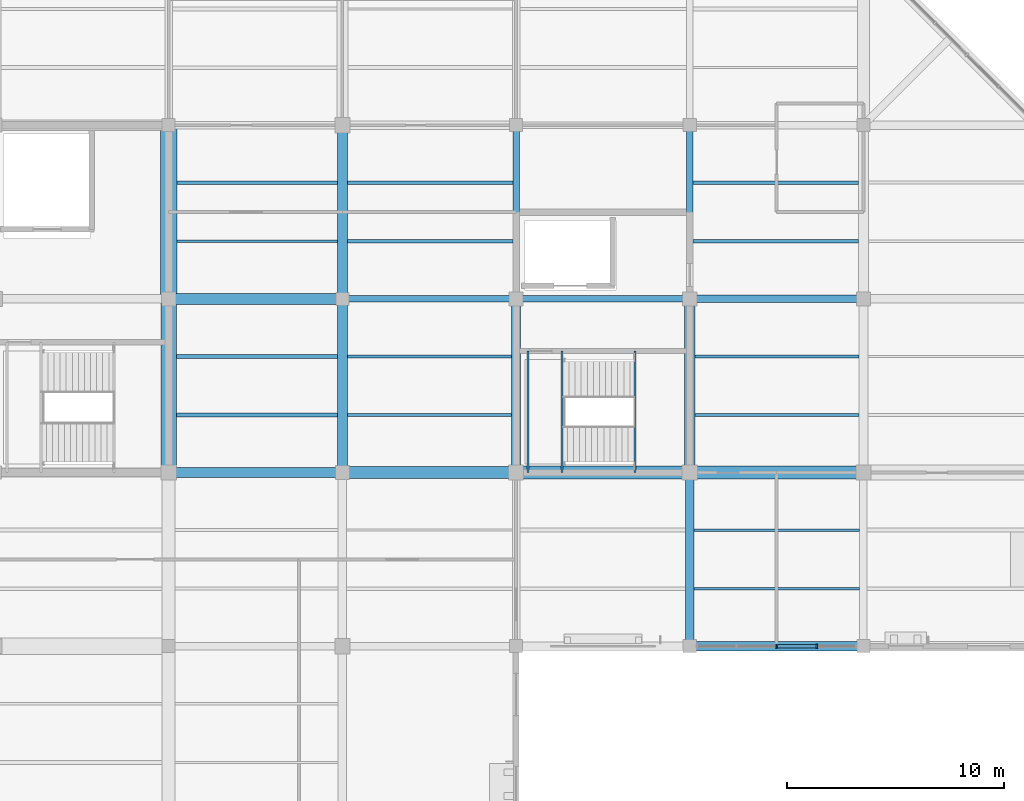
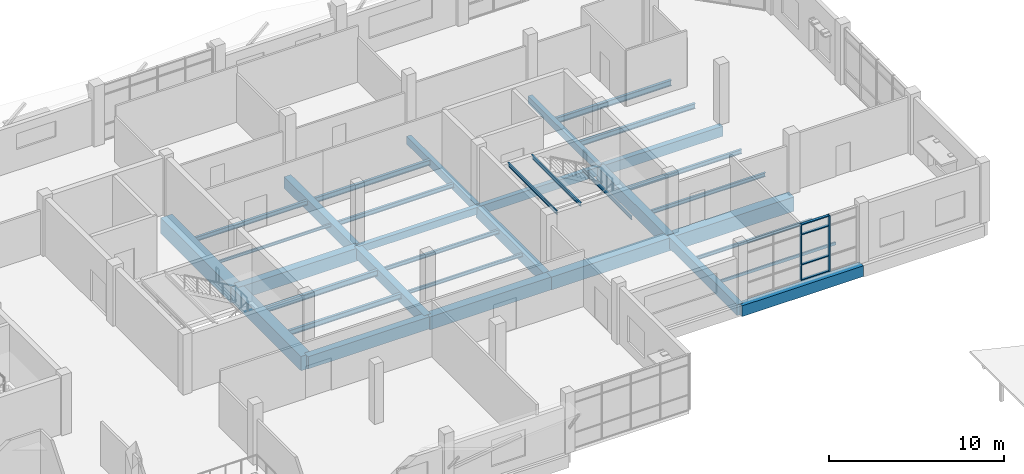
# One storey, part 30 of 84: 35 beams, 6 members, 1 element without a shape of its own.
"""IFC4 building model written with IfcOpenShell, lengths in metres."""

from ifc_helpers import new_model, si_unit, direction, frame, origin, origin_2d, place, context, subcontext, project, spatial, rectangle, hollow_rectangle, i_section, extrude, material, material_profile, profile_set, type_object, element, aggregate, save


model = new_model("IFC4")

# Units and contexts
model_context = context("Model", 3, precision=1e-05, world=origin(), true_north=direction((0.0, 1.0)))
body_context = subcontext(model_context, "Body", "Model", "MODEL_VIEW")
ifc_project = project(units=[si_unit("LENGTHUNIT", "METRE"), si_unit("AREAUNIT", "SQUARE_METRE"), si_unit("VOLUMEUNIT", "CUBIC_METRE"), si_unit("PLANEANGLEUNIT", "RADIAN"), si_unit("MASSUNIT", "GRAM", prefix="KILO")], contexts=[model_context])

# Site, building, storey
site_placement = place(None, origin())
site = spatial("IfcSite", under=ifc_project, at=site_placement, CompositionType="ELEMENT")
building_placement = place(site_placement, origin())
building = spatial("IfcBuilding", under=site, at=building_placement, Name="Tenunan Teduh Sports Hall", CompositionType="ELEMENT")
storey_placement = place(building_placement, frame((0.0, 0.0, 10.800048828125)))
storey = spatial("IfcBuildingStorey", under=building, at=storey_placement, Name="L02", CompositionType="ELEMENT", Elevation=10.800048828125)

# Beams
ifc_material_1 = material(Name="Concrete C40/50", Category="concrete")
ifc_material_profile_1 = material_profile(ifc_material_1, rectangle(XDim=0.300048828125, YDim=0.5, at=origin_2d()), Name="RCB 300x500")
ifc_profile_set_1 = profile_set([ifc_material_profile_1], Name="Concrete C40/50")
beam_type_1 = type_object("IfcBeamType", Name="BM-RC-300x500", PredefinedType="BEAM", material=ifc_profile_set_1)
for number, where, z_axis, x_axis, name in (
    (1, (46.0, 102.0, -0.510009765625), (1.0, 0.0, 0.0), (0.0, 1.0, 0.0), "BM-B-01-L02-1529"),
    (2, (62.0, 102.0, -0.510009765625), (0.0, 1.0, 0.0), (-1.0, 0.0, 0.0), "BM-B-01-L02-1614"),
):
    element("IfcBeam", number, at=place(storey_placement, frame(where, z_axis=z_axis, x_axis=x_axis)), inside=storey, type_object=beam_type_1, Name=name, PredefinedType="BEAM", context=body_context, shape_type="SweptSolid", body=[
        extrude(rectangle(XDim=0.300048828125, YDim=0.5, at=origin_2d()), origin(), (0.0, 0.0, 1.0), 8.0),
    ])
ifc_material_2 = material(Name="Concrete C40/50", Category="concrete")
ifc_material_profile_2 = material_profile(ifc_material_2, rectangle(XDim=0.300048828125, YDim=0.550048828125, at=origin_2d()), Name="RCB 300x550")
ifc_profile_set_2 = profile_set([ifc_material_profile_2], Name="Concrete C40/50")
beam_type_2 = type_object("IfcBeamType", Name="BM-RC-300x550", PredefinedType="BEAM", material=ifc_profile_set_2)
beam_1_placement = place(storey_placement, frame((54.0, 102.0, -0.53515625), z_axis=(0.0, 1.0, 0.0), x_axis=(-1.0, 0.0, 0.0)))
element("IfcBeam", 3, at=beam_1_placement, inside=storey, type_object=beam_type_2, Name="BM-B-02-L02-1610", PredefinedType="BEAM", context=body_context, shape_type="SweptSolid", body=[
    extrude(rectangle(XDim=0.300048828125, YDim=0.550048828125, at=origin_2d()), origin(), (0.0, 0.0, 1.0), 8.0),
])
ifc_material_3 = material(Name="Concrete C40/50", Category="concrete")
ifc_material_profile_3 = material_profile(ifc_material_3, rectangle(XDim=0.300048828125, YDim=0.60009765625, at=origin_2d()), Name="RCB 300x600")
ifc_profile_set_3 = profile_set([ifc_material_profile_3], Name="Concrete C40/50")
beam_type_3 = type_object("IfcBeamType", Name="BM-RC-300x600", PredefinedType="BEAM", material=ifc_profile_set_3)
beam_2_placement = place(storey_placement, frame((54.0, 102.0, -0.56005859375), z_axis=(1.0, 0.0, 0.0), x_axis=(0.0, 1.0, 0.0)))
element("IfcBeam", 4, at=beam_2_placement, inside=storey, type_object=beam_type_3, Name="BM-B-03-L02-1530", PredefinedType="BEAM", context=body_context, shape_type="SweptSolid", body=[
    extrude(rectangle(XDim=0.300048828125, YDim=0.60009765625, at=origin_2d()), origin(), (0.0, 0.0, 1.0), 8.0),
])
ifc_material_4 = material(Name="Concrete C40/50", Category="concrete")
ifc_material_profile_4 = material_profile(ifc_material_4, rectangle(XDim=0.35009765625, YDim=0.699951171875, at=origin_2d()), Name="RCB 350x700")
ifc_profile_set_4 = profile_set([ifc_material_profile_4], Name="Concrete C40/50")
beam_type_4 = type_object("IfcBeamType", Name="BM-RC-350x700", PredefinedType="BEAM", material=ifc_profile_set_4)
beam_3_placement = place(storey_placement, frame((62.0, 102.0, -0.610107421875), z_axis=(1.0, 0.0, 0.0), x_axis=(0.0, 1.0, 0.0)))
element("IfcBeam", 5, at=beam_3_placement, inside=storey, type_object=beam_type_4, Name="BM-B-06-L02-1531", PredefinedType="BEAM", context=body_context, shape_type="SweptSolid", body=[
    extrude(rectangle(XDim=0.35009765625, YDim=0.699951171875, at=origin_2d()), origin(), (0.0, 0.0, 1.0), 8.0),
])
ifc_material_5 = material(Name="Concrete C40/50", Category="concrete")
ifc_material_profile_5 = material_profile(ifc_material_5, rectangle(XDim=0.39990234375, YDim=0.75, at=origin_2d()), Name="RCB 400x750")
ifc_profile_set_5 = profile_set([ifc_material_profile_5], Name="Concrete C40/50")
beam_type_5 = type_object("IfcBeamType", Name="BM-RC-400x750", PredefinedType="BEAM", material=ifc_profile_set_5)
beam_4_placement = place(storey_placement, frame((62.0, 86.0, -0.635009765625), z_axis=(0.0, 1.0, 0.0), x_axis=(-1.0, 0.0, 0.0)))
element("IfcBeam", 6, at=beam_4_placement, inside=storey, type_object=beam_type_5, Name="BM-B-09-L02-1612", PredefinedType="BEAM", context=body_context, shape_type="SweptSolid", body=[
    extrude(rectangle(XDim=0.39990234375, YDim=0.75, at=origin_2d()), origin(), (0.0, 0.0, 1.0), 8.0),
])
ifc_material_6 = material(Name="Concrete C40/50", Category="concrete")
ifc_material_profile_6 = material_profile(ifc_material_6, rectangle(XDim=0.449951171875, YDim=0.75, at=origin_2d()), Name="RCB 450x750")
ifc_profile_set_6 = profile_set([ifc_material_profile_6], Name="Concrete C40/50")
beam_type_6 = type_object("IfcBeamType", Name="BM-RC-450x750", PredefinedType="BEAM", material=ifc_profile_set_6)
for number, where, z_axis, x_axis, name in (
    (7, (62.0, 86.0, -0.635009765625), (1.0, 0.0, 0.0), (0.0, 1.0, 0.0), "BM-B-11-L02-1498"),
    (8, (46.0, 94.0, -0.635009765625), (0.0, 1.0, 0.0), (-1.0, 0.0, 0.0), "BM-B-11-L02-1605"),
):
    element("IfcBeam", number, at=place(storey_placement, frame(where, z_axis=z_axis, x_axis=x_axis)), inside=storey, type_object=beam_type_6, Name=name, PredefinedType="BEAM", context=body_context, shape_type="SweptSolid", body=[
        extrude(rectangle(XDim=0.449951171875, YDim=0.75, at=origin_2d()), origin(), (0.0, 0.0, 1.0), 8.0),
    ])
ifc_material_7 = material(Name="Concrete C40/50", Category="concrete")
ifc_material_profile_7 = material_profile(ifc_material_7, rectangle(XDim=0.449951171875, YDim=0.800048828125, at=origin_2d()), Name="RCB 450x800")
ifc_profile_set_7 = profile_set([ifc_material_profile_7], Name="Concrete C40/50")
beam_type_7 = type_object("IfcBeamType", Name="BM-RC-450x800", PredefinedType="BEAM", material=ifc_profile_set_7)
beam_5_placement = place(storey_placement, frame((46.0, 102.0, -0.66015625), z_axis=(0.0, 1.0, 0.0), x_axis=(-1.0, 0.0, 0.0)))
element("IfcBeam", 9, at=beam_5_placement, inside=storey, type_object=beam_type_7, Name="BM-B-12-L02-1606", PredefinedType="BEAM", context=body_context, shape_type="SweptSolid", body=[
    extrude(rectangle(XDim=0.449951171875, YDim=0.800048828125, at=origin_2d()), origin(), (0.0, 0.0, 1.0), 8.0),
])
ifc_material_8 = material(Name="Concrete C40/50", Category="concrete")
ifc_material_profile_8 = material_profile(ifc_material_8, rectangle(XDim=0.449951171875, YDim=0.85009765625, at=origin_2d()), Name="RCB 450x850")
ifc_profile_set_8 = profile_set([ifc_material_profile_8], Name="Concrete C40/50")
beam_type_8 = type_object("IfcBeamType", Name="BM-RC-450x850", PredefinedType="BEAM", material=ifc_profile_set_8)
beam_6_placement = place(storey_placement, frame((38.0, 94.0, -0.68505859375), z_axis=(1.0, 0.0, 0.0), x_axis=(0.0, 1.0, 0.0)))
element("IfcBeam", 10, at=beam_6_placement, inside=storey, type_object=beam_type_8, Name="BM-B-13-L02-1511", PredefinedType="BEAM", context=body_context, shape_type="SweptSolid", body=[
    extrude(rectangle(XDim=0.449951171875, YDim=0.85009765625, at=origin_2d()), origin(), (0.0, 0.0, 1.0), 8.0),
])
ifc_material_9 = material(Name="Concrete C40/50", Category="concrete")
ifc_material_profile_9 = material_profile(ifc_material_9, rectangle(XDim=0.5, YDim=0.89990234375, at=origin_2d()), Name="RCB 500x900")
ifc_profile_set_9 = profile_set([ifc_material_profile_9], Name="Concrete C40/50")
beam_type_9 = type_object("IfcBeamType", Name="BM-RC-500x900", PredefinedType="BEAM", material=ifc_profile_set_9)
for number, where, z_axis, x_axis, name in (
    (11, (38.0, 102.0, -0.7099609375), (1.0, 0.0, 0.0), (0.0, 1.0, 0.0), "BM-B-15-L02-1528"),
    (12, (62.0, 94.0, -0.7099609375), (0.0, 1.0, 0.0), (-1.0, 0.0, 0.0), "BM-B-15-L02-1613"),
):
    element("IfcBeam", number, at=place(storey_placement, frame(where, z_axis=z_axis, x_axis=x_axis)), inside=storey, type_object=beam_type_9, Name=name, PredefinedType="BEAM", context=body_context, shape_type="SweptSolid", body=[
        extrude(rectangle(XDim=0.5, YDim=0.89990234375, at=origin_2d()), origin(), (0.0, 0.0, 1.0), 8.0),
    ])
ifc_material_10 = material(Name="Concrete C40/50", Category="concrete")
ifc_material_profile_10 = material_profile(ifc_material_10, rectangle(XDim=0.550048828125, YDim=0.89990234375, at=origin_2d()), Name="RCB 550x900")
ifc_profile_set_10 = profile_set([ifc_material_profile_10], Name="Concrete C40/50")
beam_type_10 = type_object("IfcBeamType", Name="BM-RC-550x900", PredefinedType="BEAM", material=ifc_profile_set_10)
beam_7_placement = place(storey_placement, frame((46.0, 94.0, -0.7099609375), z_axis=(1.0, 0.0, 0.0), x_axis=(0.0, 1.0, 0.0)))
element("IfcBeam", 13, at=beam_7_placement, inside=storey, type_object=beam_type_10, Name="BM-B-16-L02-1512", PredefinedType="BEAM", context=body_context, shape_type="SweptSolid", body=[
    extrude(rectangle(XDim=0.550048828125, YDim=0.89990234375, at=origin_2d()), origin(), (0.0, 0.0, 1.0), 8.0),
])
ifc_material_11 = material(Name="Concrete C40/50", Category="concrete")
ifc_material_profile_11 = material_profile(ifc_material_11, rectangle(XDim=0.60009765625, YDim=1.0, at=origin_2d()), Name="RCB 600x1000")
ifc_profile_set_11 = profile_set([ifc_material_profile_11], Name="Concrete C40/50")
beam_type_11 = type_object("IfcBeamType", Name="BM-RC-600x1000", PredefinedType="BEAM", material=ifc_profile_set_11)
beam_8_placement = place(storey_placement, frame((62.0, 94.0, -0.760009765625), z_axis=(1.0, 0.0, 0.0), x_axis=(0.0, 1.0, 0.0)))
element("IfcBeam", 14, at=beam_8_placement, inside=storey, type_object=beam_type_11, Name="BM-B-18-L02-1514", PredefinedType="BEAM", context=body_context, shape_type="SweptSolid", body=[
    extrude(rectangle(XDim=0.60009765625, YDim=1.0, at=origin_2d()), origin(), (0.0, 0.0, 1.0), 8.0),
])
ifc_material_12 = material(Name="Concrete C40/50", Category="concrete")
ifc_material_profile_12 = material_profile(ifc_material_12, rectangle(XDim=0.60009765625, YDim=0.89990234375, at=origin_2d()), Name="RCB 600x900")
ifc_profile_set_12 = profile_set([ifc_material_profile_12], Name="Concrete C40/50")
beam_type_12 = type_object("IfcBeamType", Name="BM-RC-600x900", PredefinedType="BEAM", material=ifc_profile_set_12)
beam_9_placement = place(storey_placement, frame((54.0, 94.0, -0.7099609375), z_axis=(1.0, 0.0, 0.0), x_axis=(0.0, 1.0, 0.0)))
element("IfcBeam", 15, at=beam_9_placement, inside=storey, type_object=beam_type_12, Name="BM-B-17-L02-1513", PredefinedType="BEAM", context=body_context, shape_type="SweptSolid", body=[
    extrude(rectangle(XDim=0.60009765625, YDim=0.89990234375, at=origin_2d()), origin(), (0.0, 0.0, 1.0), 8.0),
])
ifc_material_13 = material(Name="Concrete C40/50", Category="concrete")
ifc_material_profile_13 = material_profile(ifc_material_13, rectangle(XDim=0.699951171875, YDim=1.0, at=origin_2d()), Name="RCB 700x1000")
ifc_profile_set_13 = profile_set([ifc_material_profile_13], Name="Concrete C40/50")
beam_type_13 = type_object("IfcBeamType", Name="BM-RC-700x1000", PredefinedType="SPANDREL", material=ifc_profile_set_13)
beam_10_placement = place(storey_placement, frame((38.0, 94.0, -0.760009765625), z_axis=(0.0, 1.0, 0.0), x_axis=(-1.0, 0.0, 0.0)))
element("IfcBeam", 16, at=beam_10_placement, inside=storey, type_object=beam_type_13, Name="BM-B-19-L02-1600", PredefinedType="SPANDREL", context=body_context, shape_type="SweptSolid", body=[
    extrude(rectangle(XDim=0.699951171875, YDim=1.0, at=origin_2d()), origin(), (0.0, 0.0, 1.0), 8.0),
])
ifc_material_14 = material(Name="Concrete C40/50", Category="concrete")
ifc_material_profile_14 = material_profile(ifc_material_14, rectangle(XDim=0.75, YDim=1.10009765625, at=origin_2d()), Name="RCB 750x1100")
ifc_profile_set_14 = profile_set([ifc_material_profile_14], Name="Concrete C40/50")
beam_type_14 = type_object("IfcBeamType", Name="BM-RC-750x1100", PredefinedType="SPANDREL", material=ifc_profile_set_14)
beam_11_placement = place(storey_placement, frame((38.0, 102.0, -0.81005859375), z_axis=(0.0, 1.0, 0.0), x_axis=(-1.0, 0.0, 0.0)))
element("IfcBeam", 17, at=beam_11_placement, inside=storey, type_object=beam_type_14, Name="BM-B-20-L02-1601", PredefinedType="SPANDREL", context=body_context, shape_type="SweptSolid", body=[
    extrude(rectangle(XDim=0.75, YDim=1.10009765625, at=origin_2d()), origin(), (0.0, 0.0, 1.0), 8.0),
])
ifc_material_15 = material(Name="Concrete C40/50", Category="concrete")
ifc_material_profile_15 = material_profile(ifc_material_15, rectangle(XDim=0.39990234375, YDim=0.780029296875, at=origin_2d()), Name="TB 400x780")
ifc_profile_set_15 = profile_set([ifc_material_profile_15], Name="Concrete C40/50")
beam_type_15 = type_object("IfcBeamType", Name="BM-TB-400x780", PredefinedType="T_BEAM", material=ifc_profile_set_15)
beam_12_placement = place(storey_placement, frame((54.0, 94.0, -0.650146484375), z_axis=(0.0, 1.0, 0.0), x_axis=(-1.0, 0.0, 0.0)))
element("IfcBeam", 18, at=beam_12_placement, inside=storey, type_object=beam_type_15, Name="BM-TB-02-L02-1609", PredefinedType="T_BEAM", context=body_context, shape_type="SweptSolid", body=[
    extrude(rectangle(XDim=0.39990234375, YDim=0.780029296875, at=origin_2d()), origin(), (0.0, 0.0, 1.0), 8.0),
])

# Curtain wall, members
ifc_material_16 = material(Name="Anodised aluminium", Category="aluminium")
curtain_wall_type = type_object("IfcCurtainWallType", Name="CW-UNIT-2", PredefinedType="NOTDEFINED", material=ifc_material_16)
curtain_wall_placement = place(storey_placement, origin())
curtain_wall = element("IfcCurtainWall", 19, at=curtain_wall_placement, inside=storey, type_object=curtain_wall_type, Name="CW-CWM-200-L02-212", PredefinedType="NOTDEFINED")
ifc_material_17 = material(Name="Anodised aluminium", Category="aluminium")
ifc_material_profile_16 = material_profile(ifc_material_17, rectangle(XDim=0.070068359375, YDim=0.199951171875, at=origin_2d()), Name="CWM 70x200")
ifc_profile_set_16 = profile_set([ifc_material_profile_16], Name="Anodised aluminium")
member_type_1 = type_object("IfcMemberType", Name="CWM-200", PredefinedType="MULLION", material=ifc_profile_set_16)
member_1_placement = place(storey_placement, frame((66.0, 86.0, 0.0), z_axis=(0.0, 0.0, 1.0), x_axis=(1.0, 0.0, 0.0)))
member_1 = element("IfcMember", 20, at=member_1_placement, type_object=member_type_1, Name="CW-02 mullion 3", PredefinedType="MULLION", context=body_context, shape_type="SweptSolid", body=[
    extrude(rectangle(XDim=0.070068359375, YDim=0.199951171875, at=origin_2d()), origin(), (0.0, 0.0, 1.0), 3.919921875),
])
member_2_placement = place(storey_placement, frame((67.85009765625, 86.0, 0.0), z_axis=(0.0, 0.0, 1.0), x_axis=(1.0, 0.0, 0.0)))
member_2 = element("IfcMember", 21, at=member_2_placement, type_object=member_type_1, Name="CW-02 mullion 4", PredefinedType="MULLION", context=body_context, shape_type="SweptSolid", body=[
    extrude(rectangle(XDim=0.070068359375, YDim=0.199951171875, at=origin_2d()), origin(), (0.0, 0.0, 1.0), 3.919921875),
])
ifc_material_18 = material(Name="Anodised aluminium", Category="aluminium")
ifc_material_profile_17 = material_profile(ifc_material_18, rectangle(XDim=0.070068359375, YDim=0.159912109375, at=origin_2d()), Name="CWT 70x160")
ifc_profile_set_17 = profile_set([ifc_material_profile_17], Name="Anodised aluminium")
member_type_2 = type_object("IfcMemberType", Name="CWT-200", PredefinedType="USERDEFINED", material=ifc_profile_set_17)
member_3_placement = place(storey_placement, frame((66.034912109375, 86.0, 0.034912109375), z_axis=(1.0, 0.0, 0.0), x_axis=(0.0, 0.0, 1.0)))
member_3 = element("IfcMember", 22, at=member_3_placement, type_object=member_type_2, Name="CW-02 transom 3.1", ObjectType="TRANSOM", PredefinedType="USERDEFINED", context=body_context, shape_type="SweptSolid", body=[
    extrude(rectangle(XDim=0.070068359375, YDim=0.159912109375, at=origin_2d()), origin(), (0.0, 0.0, 1.0), 1.780029296875),
])
member_4_placement = place(storey_placement, frame((66.034912109375, 86.0, 1.099853515625), z_axis=(1.0, 0.0, 0.0), x_axis=(0.0, 0.0, 1.0)))
member_4 = element("IfcMember", 23, at=member_4_placement, type_object=member_type_2, Name="CW-02 transom 3.2", ObjectType="TRANSOM", PredefinedType="USERDEFINED", context=body_context, shape_type="SweptSolid", body=[
    extrude(rectangle(XDim=0.070068359375, YDim=0.159912109375, at=origin_2d()), origin(), (0.0, 0.0, 1.0), 1.780029296875),
])
member_5_placement = place(storey_placement, frame((66.034912109375, 86.0, 3.199951171875), z_axis=(1.0, 0.0, 0.0), x_axis=(0.0, 0.0, 1.0)))
member_5 = element("IfcMember", 24, at=member_5_placement, type_object=member_type_2, Name="CW-02 transom 3.3", ObjectType="TRANSOM", PredefinedType="USERDEFINED", context=body_context, shape_type="SweptSolid", body=[
    extrude(rectangle(XDim=0.070068359375, YDim=0.159912109375, at=origin_2d()), origin(), (0.0, 0.0, 1.0), 1.780029296875),
])
member_6_placement = place(storey_placement, frame((66.034912109375, 86.0, 3.885009765625), z_axis=(1.0, 0.0, 0.0), x_axis=(0.0, 0.0, 1.0)))
member_6 = element("IfcMember", 25, at=member_6_placement, type_object=member_type_2, Name="CW-02 transom 3.4", ObjectType="TRANSOM", PredefinedType="USERDEFINED", context=body_context, shape_type="SweptSolid", body=[
    extrude(rectangle(XDim=0.070068359375, YDim=0.159912109375, at=origin_2d()), origin(), (0.0, 0.0, 1.0), 1.780029296875),
])
aggregate(curtain_wall, [member_1, member_2, member_3, member_4, member_5, member_6])

# Beams
ifc_material_19 = material(Name="Steel S355", Category="steel")
ifc_material_profile_18 = material_profile(ifc_material_19, i_section(OverallWidth=0.10009765625, OverallDepth=0.199951171875, WebThickness=0.005615234375, FlangeThickness=0.008544921875, FilletRadius=0.011962890625, at=origin_2d()), Name="IPE 200")
ifc_profile_set_18 = profile_set([ifc_material_profile_18], Name="Steel S355")
beam_type_16 = type_object("IfcBeamType", Name="JST-IPE200", PredefinedType="JOIST", material=ifc_profile_set_18)
beam_13_placement = place(storey_placement, frame((38.375, 104.64990234375, -0.360107421875), z_axis=(1.0, 0.0, 0.0), x_axis=(0.0, 1.0, 0.0)))
element("IfcBeam", 26, at=beam_13_placement, inside=storey, type_object=beam_type_16, Name="BM-J-01-L02-1720", PredefinedType="JOIST", context=body_context, shape_type="SweptSolid", body=[
    extrude(i_section(OverallWidth=0.10009765625, OverallDepth=0.199951171875, WebThickness=0.005615234375, FlangeThickness=0.008544921875, FilletRadius=0.011962890625, at=origin_2d()), origin(), (0.0, 0.0, 1.0), 7.39990234375),
])
ifc_material_20 = material(Name="Steel S355", Category="steel")
ifc_material_profile_19 = material_profile(ifc_material_20, i_section(OverallWidth=0.1201171875, OverallDepth=0.239990234375, WebThickness=0.006103515625, FlangeThickness=0.009765625, FilletRadius=0.014892578125, at=origin_2d()), Name="IPE 240")
ifc_profile_set_19 = profile_set([ifc_material_profile_19], Name="Steel S355")
beam_type_17 = type_object("IfcBeamType", Name="JST-IPE240", PredefinedType="JOIST", material=ifc_profile_set_19)
beam_14_placement = place(storey_placement, frame((46.22509765625, 96.64990234375, -0.380126953125), z_axis=(1.0, 0.0, 0.0), x_axis=(0.0, 1.0, 0.0)))
element("IfcBeam", 27, at=beam_14_placement, inside=storey, type_object=beam_type_17, Name="BM-J-02-L02-1726", PredefinedType="JOIST", context=body_context, shape_type="SweptSolid", body=[
    extrude(i_section(OverallWidth=0.1201171875, OverallDepth=0.239990234375, WebThickness=0.006103515625, FlangeThickness=0.009765625, FilletRadius=0.014892578125, at=origin_2d()), origin(), (0.0, 0.0, 1.0), 7.574951171875),
])
beam_15_placement = place(storey_placement, frame((62.199951171875, 91.35009765625, -0.380126953125), z_axis=(1.0, 0.0, 0.0), x_axis=(0.0, 1.0, 0.0)))
element("IfcBeam", 28, at=beam_15_placement, inside=storey, type_object=beam_type_17, Name="BM-J-02-L02-1737", PredefinedType="JOIST", context=body_context, shape_type="SweptSolid", body=[
    extrude(i_section(OverallWidth=0.1201171875, OverallDepth=0.239990234375, WebThickness=0.006103515625, FlangeThickness=0.009765625, FilletRadius=0.014892578125, at=origin_2d()), origin(), (0.0, 0.0, 1.0), 7.625),
])
ifc_material_21 = material(Name="Steel S355", Category="steel")
ifc_material_profile_20 = material_profile(ifc_material_21, i_section(OverallWidth=0.135009765625, OverallDepth=0.27001953125, WebThickness=0.006591796875, FlangeThickness=0.01025390625, FilletRadius=0.014892578125, at=origin_2d()), Name="IPE 270")
ifc_profile_set_20 = profile_set([ifc_material_profile_20], Name="Steel S355")
beam_type_18 = type_object("IfcBeamType", Name="JST-IPE270", PredefinedType="JOIST", material=ifc_profile_set_20)
beam_16_placement = place(storey_placement, frame((46.22509765625, 99.35009765625, -0.39501953125), z_axis=(1.0, 0.0, 0.0), x_axis=(0.0, 1.0, 0.0)))
element("IfcBeam", 29, at=beam_16_placement, inside=storey, type_object=beam_type_18, Name="BM-J-03-L02-1727", PredefinedType="JOIST", context=body_context, shape_type="SweptSolid", body=[
    extrude(i_section(OverallWidth=0.135009765625, OverallDepth=0.27001953125, WebThickness=0.006591796875, FlangeThickness=0.01025390625, FilletRadius=0.014892578125, at=origin_2d()), origin(), (0.0, 0.0, 1.0), 7.574951171875),
])
beam_17_placement = place(storey_placement, frame((62.25, 96.64990234375, -0.39501953125), z_axis=(1.0, 0.0, 0.0), x_axis=(0.0, 1.0, 0.0)))
element("IfcBeam", 30, at=beam_17_placement, inside=storey, type_object=beam_type_18, Name="BM-J-03-L02-1738", PredefinedType="JOIST", context=body_context, shape_type="SweptSolid", body=[
    extrude(i_section(OverallWidth=0.135009765625, OverallDepth=0.27001953125, WebThickness=0.006591796875, FlangeThickness=0.01025390625, FilletRadius=0.014892578125, at=origin_2d()), origin(), (0.0, 0.0, 1.0), 7.550048828125),
])
ifc_material_22 = material(Name="Steel S355", Category="steel")
ifc_material_profile_21 = material_profile(ifc_material_22, i_section(OverallWidth=0.14990234375, OverallDepth=0.300048828125, WebThickness=0.007080078125, FlangeThickness=0.0107421875, FilletRadius=0.014892578125, at=origin_2d()), Name="IPE 300")
ifc_profile_set_21 = profile_set([ifc_material_profile_21], Name="Steel S355")
beam_type_19 = type_object("IfcBeamType", Name="JST-IPE300", PredefinedType="JOIST", material=ifc_profile_set_21)
beam_18_placement = place(storey_placement, frame((46.22509765625, 104.64990234375, -0.41015625), z_axis=(1.0, 0.0, 0.0), x_axis=(0.0, 1.0, 0.0)))
element("IfcBeam", 31, at=beam_18_placement, inside=storey, type_object=beam_type_19, Name="BM-J-04-L02-1728", PredefinedType="JOIST", context=body_context, shape_type="SweptSolid", body=[
    extrude(i_section(OverallWidth=0.14990234375, OverallDepth=0.300048828125, WebThickness=0.007080078125, FlangeThickness=0.0107421875, FilletRadius=0.014892578125, at=origin_2d()), origin(), (0.0, 0.0, 1.0), 7.625),
])
beam_19_placement = place(storey_placement, frame((62.25, 99.35009765625, -0.41015625), z_axis=(1.0, 0.0, 0.0), x_axis=(0.0, 1.0, 0.0)))
element("IfcBeam", 32, at=beam_19_placement, inside=storey, type_object=beam_type_19, Name="BM-J-04-L02-1739", PredefinedType="JOIST", context=body_context, shape_type="SweptSolid", body=[
    extrude(i_section(OverallWidth=0.14990234375, OverallDepth=0.300048828125, WebThickness=0.007080078125, FlangeThickness=0.0107421875, FilletRadius=0.014892578125, at=origin_2d()), origin(), (0.0, 0.0, 1.0), 7.550048828125),
])
ifc_material_23 = material(Name="Steel S355", Category="steel")
ifc_material_profile_22 = material_profile(ifc_material_23, i_section(OverallWidth=0.169921875, OverallDepth=0.360107421875, WebThickness=0.008056640625, FlangeThickness=0.0126953125, FilletRadius=0.01806640625, at=origin_2d()), Name="IPE 360")
ifc_profile_set_22 = profile_set([ifc_material_profile_22], Name="Steel S355")
beam_type_20 = type_object("IfcBeamType", Name="JST-IPE360", PredefinedType="JOIST", material=ifc_profile_set_22)
beam_20_placement = place(storey_placement, frame((38.35009765625, 96.64990234375, -0.43994140625), z_axis=(1.0, 0.0, 0.0), x_axis=(0.0, 1.0, 0.0)))
element("IfcBeam", 33, at=beam_20_placement, inside=storey, type_object=beam_type_20, Name="BM-J-05-L02-1718", PredefinedType="JOIST", context=body_context, shape_type="SweptSolid", body=[
    extrude(i_section(OverallWidth=0.169921875, OverallDepth=0.360107421875, WebThickness=0.008056640625, FlangeThickness=0.0126953125, FilletRadius=0.01806640625, at=origin_2d()), origin(), (0.0, 0.0, 1.0), 7.4248046875),
])
for number, where, z_axis, x_axis, name in (
    (34, (46.22509765625, 107.35009765625, -0.43994140625), (1.0, 0.0, 0.0), (0.0, 1.0, 0.0), "BM-J-05-L02-1729"),
    (35, (62.14990234375, 104.64990234375, -0.43994140625), (1.0, 0.0, 0.0), (0.0, 1.0, 0.0), "BM-J-05-L02-1740"),
):
    element("IfcBeam", number, at=place(storey_placement, frame(where, z_axis=z_axis, x_axis=x_axis)), inside=storey, type_object=beam_type_20, Name=name, PredefinedType="JOIST", context=body_context, shape_type="SweptSolid", body=[
        extrude(i_section(OverallWidth=0.169921875, OverallDepth=0.360107421875, WebThickness=0.008056640625, FlangeThickness=0.0126953125, FilletRadius=0.01806640625, at=origin_2d()), origin(), (0.0, 0.0, 1.0), 7.625),
    ])
ifc_material_24 = material(Name="Steel S355", Category="steel")
ifc_material_profile_23 = material_profile(ifc_material_24, i_section(OverallWidth=0.179931640625, OverallDepth=0.39990234375, WebThickness=0.008544921875, FlangeThickness=0.013427734375, FilletRadius=0.02099609375, at=origin_2d()), Name="IPE 400")
ifc_profile_set_23 = profile_set([ifc_material_profile_23], Name="Steel S355")
beam_type_21 = type_object("IfcBeamType", Name="JST-IPE400", PredefinedType="JOIST", material=ifc_profile_set_23)
beam_21_placement = place(storey_placement, frame((38.35009765625, 99.35009765625, -0.4599609375), z_axis=(1.0, 0.0, 0.0), x_axis=(0.0, 1.0, 0.0)))
element("IfcBeam", 36, at=beam_21_placement, inside=storey, type_object=beam_type_21, Name="BM-J-06-L02-1719", PredefinedType="JOIST", context=body_context, shape_type="SweptSolid", body=[
    extrude(i_section(OverallWidth=0.179931640625, OverallDepth=0.39990234375, WebThickness=0.008544921875, FlangeThickness=0.013427734375, FilletRadius=0.02099609375, at=origin_2d()), origin(), (0.0, 0.0, 1.0), 7.4248046875),
])
beam_22_placement = place(storey_placement, frame((62.14990234375, 107.35009765625, -0.4599609375), z_axis=(1.0, 0.0, 0.0), x_axis=(0.0, 1.0, 0.0)))
element("IfcBeam", 37, at=beam_22_placement, inside=storey, type_object=beam_type_21, Name="BM-J-06-L02-1741", PredefinedType="JOIST", context=body_context, shape_type="SweptSolid", body=[
    extrude(i_section(OverallWidth=0.179931640625, OverallDepth=0.39990234375, WebThickness=0.008544921875, FlangeThickness=0.013427734375, FilletRadius=0.02099609375, at=origin_2d()), origin(), (0.0, 0.0, 1.0), 7.625),
])
ifc_material_25 = material(Name="Steel S355", Category="steel")
ifc_material_profile_24 = material_profile(ifc_material_25, hollow_rectangle(XDim=0.10009765625, YDim=0.199951171875, WallThickness=0.008056640625, at=origin_2d()), Name="RHS 200x100x8.0")
ifc_profile_set_24 = profile_set([ifc_material_profile_24], Name="Steel S355")
beam_type_22 = type_object("IfcBeamType", Name="RBM-RHS200", PredefinedType="JOIST", material=ifc_profile_set_24)
beam_23_placement = place(storey_placement, frame((62.199951171875, 88.64990234375, -0.360107421875), z_axis=(1.0, 0.0, 0.0), x_axis=(0.0, 1.0, 0.0)))
element("IfcBeam", 38, at=beam_23_placement, inside=storey, type_object=beam_type_22, Name="Perimeter Ring Beam BM-RB-05-L02-1736", PredefinedType="JOIST", context=body_context, shape_type="SweptSolid", body=[
    extrude(hollow_rectangle(XDim=0.10009765625, YDim=0.199951171875, WallThickness=0.008056640625, at=origin_2d()), origin(), (0.0, 0.0, 1.0), 7.625),
])
ifc_material_26 = material(Name="Steel S355", Category="steel")
ifc_material_profile_25 = material_profile(ifc_material_26, i_section(OverallWidth=0.1650390625, OverallDepth=0.303466796875, WebThickness=0.006103515625, FlangeThickness=0.01025390625, FilletRadius=0.0087890625, at=origin_2d()), Name="UKB 305x165x40")
ifc_profile_set_25 = profile_set([ifc_material_profile_25], Name="Steel S355")
beam_type_23 = type_object("IfcBeamType", Name="SBM-UKB305", PredefinedType="BEAM", material=ifc_profile_set_25)
beam_24_placement = place(storey_placement, frame((38.375, 107.35009765625, -0.411865234375), z_axis=(1.0, 0.0, 0.0), x_axis=(0.0, 1.0, 0.0)))
element("IfcBeam", 39, at=beam_24_placement, inside=storey, type_object=beam_type_23, Name="BM-SB-01-L02-1721", PredefinedType="BEAM", context=body_context, shape_type="SweptSolid", body=[
    extrude(i_section(OverallWidth=0.1650390625, OverallDepth=0.303466796875, WebThickness=0.006103515625, FlangeThickness=0.01025390625, FilletRadius=0.0087890625, at=origin_2d()), origin(), (0.0, 0.0, 1.0), 7.39990234375),
])
ifc_material_27 = material(Name="Steel S355", Category="steel")
ifc_material_profile_26 = material_profile(ifc_material_27, i_section(OverallWidth=0.090087890625, OverallDepth=0.260009765625, WebThickness=0.008056640625, FlangeThickness=0.013916015625, FilletRadius=0.011962890625, at=origin_2d()), Name="PFC 260x90")
ifc_profile_set_26 = profile_set([ifc_material_profile_26], Name="Steel S355")
beam_type_24 = type_object("IfcBeamType", Name="STR-BM-TRIM", PredefinedType="BEAM", material=ifc_profile_set_26)
for number, where, z_axis, x_axis, name in (
    (40, (59.47998046875, 94.0, 1.77001953125), (0.0, 1.0, 0.0), (-1.0, 0.0, 0.0), "BM-SS-02-W3-L02-M"),
    (41, (56.1201171875, 94.0, 3.869873046875), (0.0, 1.0, 0.0), (-1.0, 0.0, 0.0), "BM-SS-02-W3-L02-T"),
    (42, (54.550048828125, 94.0, 3.869873046875), (0.0, 1.0, 0.0), (-1.0, 0.0, 0.0), "BM-SS-02-W3-L02-TW"),
):
    element("IfcBeam", number, at=place(storey_placement, frame(where, z_axis=z_axis, x_axis=x_axis)), inside=storey, type_object=beam_type_24, Name=name, PredefinedType="BEAM", context=body_context, shape_type="SweptSolid", body=[
        extrude(i_section(OverallWidth=0.090087890625, OverallDepth=0.260009765625, WebThickness=0.008056640625, FlangeThickness=0.013916015625, FilletRadius=0.011962890625, at=origin_2d()), origin(), (0.0, 0.0, 1.0), 5.60009765625),
    ])

save(model, "model.ifc")
